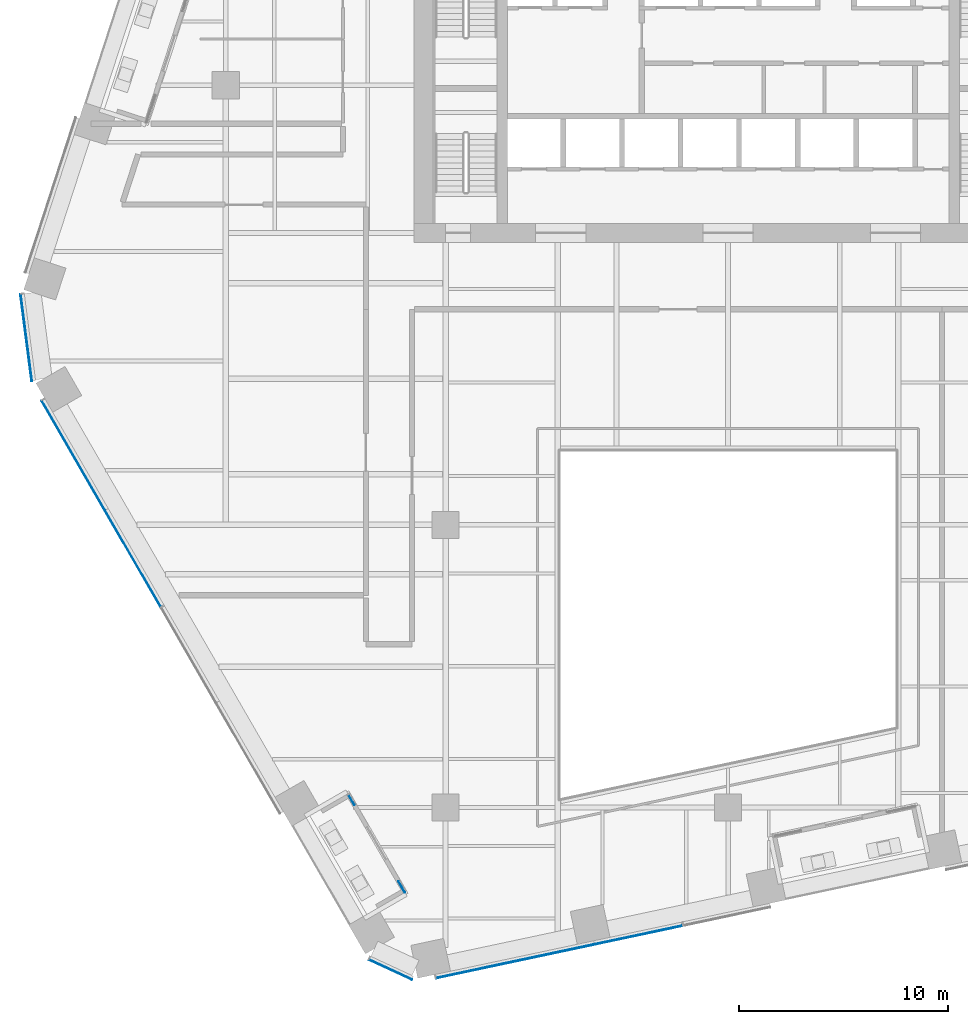
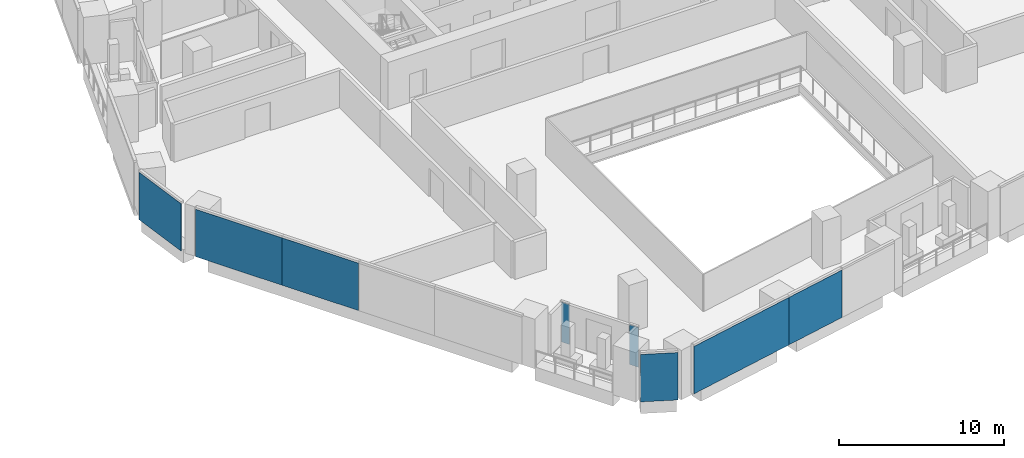
# One storey, part 16 of 28: 8 plates, 5 elements without a shape of their own.
"""IFC4 building model written with IfcOpenShell, lengths in metres."""

from ifc_helpers import new_model, si_unit, direction, frame, origin, origin_2d, place, context, subcontext, project, spatial, rectangle, extrude, material, layer, layer_set, type_object, element, aggregate, save


model = new_model("IFC4")

# Units and contexts
model_context = context("Model", 3, precision=1e-05, world=origin(), true_north=direction((0.0, 1.0)))
body_context = subcontext(model_context, "Body", "Model", "MODEL_VIEW")
ifc_project = project(units=[si_unit("LENGTHUNIT", "METRE"), si_unit("AREAUNIT", "SQUARE_METRE"), si_unit("VOLUMEUNIT", "CUBIC_METRE"), si_unit("PLANEANGLEUNIT", "RADIAN"), si_unit("MASSUNIT", "GRAM", prefix="KILO")], contexts=[model_context])

# Site, building, storey
site_placement = place(None, origin())
site = spatial("IfcSite", under=ifc_project, at=site_placement, CompositionType="ELEMENT")
building_placement = place(site_placement, origin())
building = spatial("IfcBuilding", under=site, at=building_placement, Name="Isthmus Gate Tower", CompositionType="ELEMENT")
storey_placement = place(building_placement, frame((0.0, 0.0, 84.300048828125)))
storey = spatial("IfcBuildingStorey", under=building, at=storey_placement, Name="L19", CompositionType="ELEMENT", Elevation=84.300048828125)

# Curtain wall, plate
ifc_material_1 = material(Name="Aluminium, pale champagne anodised", Category="aluminium")
ifc_layer_1 = layer(ifc_material_1, 0.199951171875)
ifc_layer_set_1 = layer_set([ifc_layer_1], Name="CW-1 UNITISED CURTAIN WALL 200 DEEP")
curtain_wall_type_1 = type_object("IfcCurtainWallType", Name="CW-1 UNITISED CURTAIN WALL 200 DEEP", PredefinedType="NOTDEFINED", material=ifc_layer_set_1)
curtain_wall_1_placement = place(storey_placement, origin())
curtain_wall_1 = element("IfcCurtainWall", 1, at=curtain_wall_1_placement, inside=storey, type_object=curtain_wall_type_1, Name="CW-1 NW-SW L19", PredefinedType="NOTDEFINED")
ifc_material_2 = material(Name="Laminated low-iron glass, pale blue tint", Category="glass")
ifc_layer_2 = layer(ifc_material_2, 0.0400390625)
ifc_layer_set_2 = layer_set([ifc_layer_2], Name="CW-1 CLEAR GLASS LITE 40")
plate_type_1 = type_object("IfcPlateType", Name="CW-1 CLEAR GLASS LITE 40", PredefinedType="CURTAIN_PANEL", material=ifc_layer_set_2)
plate_1_placement = place(storey_placement, frame((-33.5283203125, -4.558349609375, 0.0), z_axis=(0.0, 0.0, 1.0), x_axis=(0.129164534, -0.991623175988, 0.0)))
plate_1 = element("IfcPlate", 2, at=plate_1_placement, type_object=plate_type_1, Name="CW-1 glass lite", PredefinedType="CURTAIN_PANEL", context=body_context, shape_type="SweptSolid", body=[
    extrude(rectangle(XDim=4.181396484375, YDim=0.0400390625, at=origin_2d()), origin(), (0.0, 0.0, 1.0), 3.5),
])
aggregate(curtain_wall_1, [plate_1])

# Curtain wall, plates
curtain_wall_2_placement = place(storey_placement, origin())
curtain_wall_2 = element("IfcCurtainWall", 3, at=curtain_wall_2_placement, inside=storey, type_object=curtain_wall_type_1, Name="CW-1 SW L19", PredefinedType="NOTDEFINED")
plate_2_placement = place(storey_placement, frame((-31.277587890625, -10.185791015625, 0.0), z_axis=(0.0, 0.0, 1.0), x_axis=(0.5, -0.866025403784, 0.0)))
plate_2 = element("IfcPlate", 4, at=plate_2_placement, type_object=plate_type_1, Name="CW-1 glass lite", PredefinedType="CURTAIN_PANEL", context=body_context, shape_type="SweptSolid", body=[
    extrude(rectangle(XDim=6.048583984375, YDim=0.0400390625, at=origin_2d()), origin(), (0.0, 0.0, 1.0), 3.5),
])
plate_3_placement = place(storey_placement, frame((-28.438232421875, -15.103759765625, 0.0), z_axis=(0.0, 0.0, 1.0), x_axis=(0.5, -0.866025403784, 0.0)))
plate_3 = element("IfcPlate", 5, at=plate_3_placement, type_object=plate_type_1, Name="CW-1 glass lite", PredefinedType="CURTAIN_PANEL", context=body_context, shape_type="SweptSolid", body=[
    extrude(rectangle(XDim=5.30859375, YDim=0.0400390625, at=origin_2d()), origin(), (0.0, 0.0, 1.0), 3.5),
])
aggregate(curtain_wall_2, [plate_2, plate_3])

# Curtain wall, plate
curtain_wall_3_placement = place(storey_placement, origin())
curtain_wall_3 = element("IfcCurtainWall", 6, at=curtain_wall_3_placement, inside=storey, type_object=curtain_wall_type_1, Name="CW-1 SW-S L19", PredefinedType="NOTDEFINED")
plate_4_placement = place(storey_placement, frame((-16.1298828125, -34.7451171875, 0.0), z_axis=(0.0, 0.0, 1.0), x_axis=(0.907256261367, -0.420578264073, 0.0)))
plate_4 = element("IfcPlate", 7, at=plate_4_placement, type_object=plate_type_1, Name="CW-1 glass lite", PredefinedType="CURTAIN_PANEL", context=body_context, shape_type="SweptSolid", body=[
    extrude(rectangle(XDim=2.258544921875, YDim=0.0400390625, at=origin_2d()), origin(), (0.0, 0.0, 1.0), 3.5),
])
aggregate(curtain_wall_3, [plate_4])

# Curtain wall, plates
curtain_wall_4_placement = place(storey_placement, origin())
curtain_wall_4 = element("IfcCurtainWall", 8, at=curtain_wall_4_placement, inside=storey, type_object=curtain_wall_type_1, Name="CW-1 S L19", PredefinedType="NOTDEFINED")
plate_5_placement = place(storey_placement, frame((-10.166748046875, -34.344970703125, 0.0), z_axis=(0.0, 0.0, 1.0), x_axis=(0.978147600734, 0.207911690818, 0.0)))
plate_5 = element("IfcPlate", 9, at=plate_5_placement, type_object=plate_type_1, Name="CW-1 glass lite", PredefinedType="CURTAIN_PANEL", context=body_context, shape_type="SweptSolid", body=[
    extrude(rectangle(XDim=7.729248046875, YDim=0.0400390625, at=origin_2d()), origin(), (0.0, 0.0, 1.0), 3.5),
])
plate_6_placement = place(storey_placement, frame((-4.2861328125, -33.094970703125, 0.0), z_axis=(0.0, 0.0, 1.0), x_axis=(0.978147600734, 0.207911690818, 0.0)))
plate_6 = element("IfcPlate", 10, at=plate_6_placement, type_object=plate_type_1, Name="CW-1 glass lite", PredefinedType="CURTAIN_PANEL", context=body_context, shape_type="SweptSolid", body=[
    extrude(rectangle(XDim=4.294677734375, YDim=0.0400390625, at=origin_2d()), origin(), (0.0, 0.0, 1.0), 3.5),
])
aggregate(curtain_wall_4, [plate_5, plate_6])

ifc_material_3 = material(Name="Aluminium, pale champagne anodised", Category="aluminium")
ifc_layer_3 = layer(ifc_material_3, 0.14990234375)
ifc_layer_set_3 = layer_set([ifc_layer_3], Name="CW-6 LOGGIA BACK WALL GLAZING 150 DEEP")
curtain_wall_type_2 = type_object("IfcCurtainWallType", Name="CW-6 LOGGIA BACK WALL GLAZING 150 DEEP", PredefinedType="NOTDEFINED", material=ifc_layer_set_3)
curtain_wall_5_placement = place(storey_placement, origin())
curtain_wall_5 = element("IfcCurtainWall", 11, at=curtain_wall_5_placement, inside=storey, type_object=curtain_wall_type_2, Name="CW-6 SW L19", PredefinedType="NOTDEFINED")
ifc_material_4 = material(Name="Laminated low-iron glass, clear", Category="glass")
ifc_layer_4 = layer(ifc_material_4, 0.031982421875)
ifc_layer_set_4 = layer_set([ifc_layer_4], Name="CW-6 CLEAR GLASS LITE 32")
plate_type_2 = type_object("IfcPlateType", Name="CW-6 CLEAR GLASS LITE 32", PredefinedType="CURTAIN_PANEL", material=ifc_layer_set_4)
plate_7_placement = place(storey_placement, frame((-17.991455078125, -26.637939453125, 0.0), z_axis=(0.0, 0.0, 1.0), x_axis=(0.5, -0.866025403784, 0.0)))
plate_7 = element("IfcPlate", 12, at=plate_7_placement, type_object=plate_type_2, Name="CW-6 glass lite", PredefinedType="CURTAIN_PANEL", context=body_context, shape_type="SweptSolid", body=[
    extrude(rectangle(XDim=0.561767578125, YDim=0.031982421875, at=origin_2d()), origin(), (0.0, 0.0, 1.0), 2.929931640625),
])
plate_8_placement = place(storey_placement, frame((-15.595458984375, -30.787841796875, 0.0), z_axis=(0.0, 0.0, 1.0), x_axis=(0.5, -0.866025403784, 0.0)))
plate_8 = element("IfcPlate", 13, at=plate_8_placement, type_object=plate_type_2, Name="CW-6 glass lite", PredefinedType="CURTAIN_PANEL", context=body_context, shape_type="SweptSolid", body=[
    extrude(rectangle(XDim=0.621826171875, YDim=0.031982421875, at=origin_2d()), origin(), (0.0, 0.0, 1.0), 2.929931640625),
])
aggregate(curtain_wall_5, [plate_7, plate_8])

save(model, "model.ifc")
